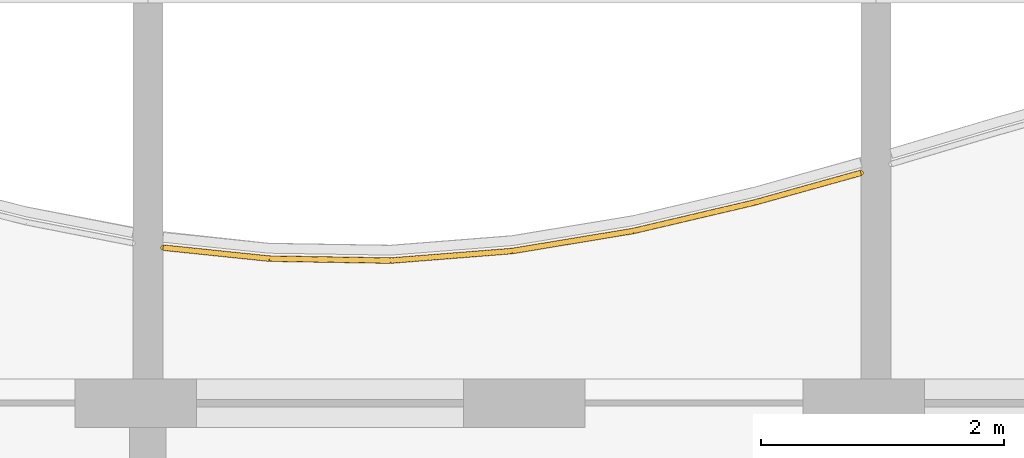
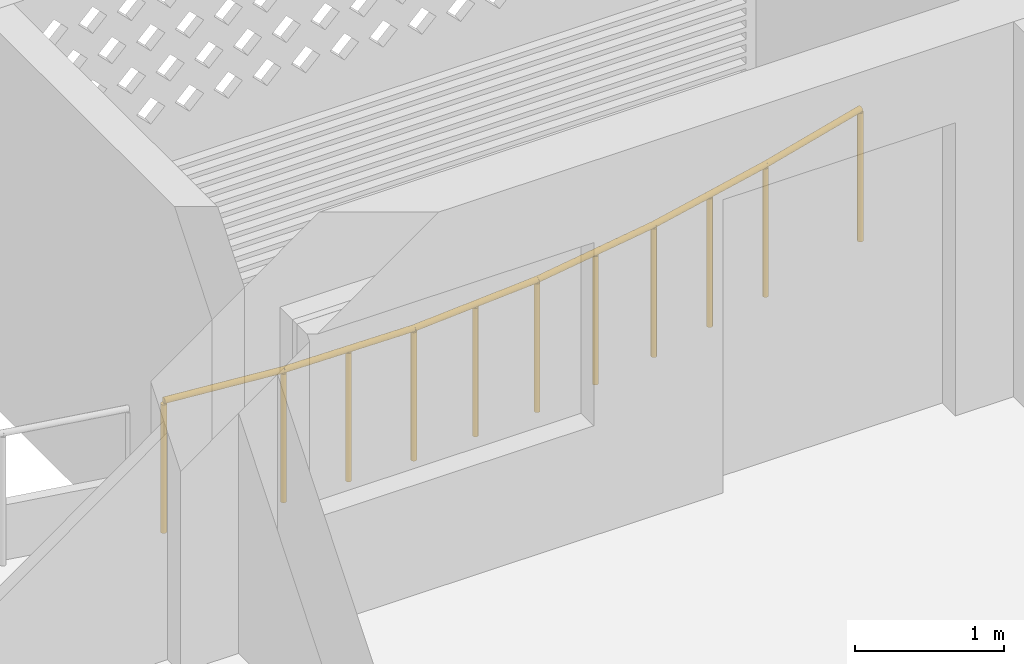
# One storey, part 30 of 33: 1 railing.
"""IFC4 building model written with IfcOpenShell, lengths in metres."""

import ifcopenshell
import ifcopenshell.guid

model = None  # the IFC model being written
_history = None  # IfcOwnerHistory: only IFC2X3 demands one
_inside = {}  # id of a spatial element -> (the spatial element, [elements in it])
_under = {}  # id of a project, library or spatial element -> (it, [spatial elements below it])
_declared = {}  # id of a project -> (the project, [libraries it declares])
_typed = {}  # id of a type object -> (the type object, [elements of that type])
_made_of = {}  # id of a material, layer set ... -> (it, [elements and type objects made of it])


def new_model(schema):
    """Start an empty IFC model of exactly this schema.

    Asked for "IFC4X3", IfcOpenShell would pick the latest addendum, in which some entities
    have other attributes; the version numbers below select the first issue.
    IFC2X3 requires an IfcOwnerHistory on every rooted entity: one is made here for all.
    """
    global model, _history
    if schema == "IFC4X3":
        model = ifcopenshell.file(schema_version=(4, 3, 0, 0))
    else:
        model = ifcopenshell.file(schema=schema)
    _inside.clear()
    _under.clear()
    _declared.clear()
    _typed.clear()
    _made_of.clear()
    _history = None
    if model.schema == "IFC2X3":
        org = make("IfcOrganization", Name="unknown")
        user = make(
            "IfcPersonAndOrganization",
            ThePerson=make("IfcPerson", FamilyName="unknown"),
            TheOrganization=org,
        )
        app = make(
            "IfcApplication",
            ApplicationDeveloper=org,
            Version="unknown",
            ApplicationFullName="unknown",
            ApplicationIdentifier="unknown",
        )
        _history = make(
            "IfcOwnerHistory",
            OwningUser=user,
            OwningApplication=app,
            ChangeAction="ADDED",
            CreationDate=0,
        )
    return model


def make(cls, **values):
    """One entity of the class cls with the attributes given. An attribute that is None is left unset."""
    return model.create_entity(
        cls, **{name: value for name, value in values.items() if value is not None}
    )


def rooted(cls, **values):
    """An entity with a GlobalId (a new one), such as an element, a storey or a relation."""
    return make(cls, GlobalId=ifcopenshell.guid.new(), OwnerHistory=_history, **values)


def si_unit(unit_type, name, prefix=None):
    """IfcSIUnit, for example si_unit("LENGTHUNIT", "METRE", prefix="MILLI")."""
    return make("IfcSIUnit", UnitType=unit_type, Prefix=prefix, Name=name)


def assignment(units):
    """IfcUnitAssignment: the units of a project."""
    return None if units is None else make("IfcUnitAssignment", Units=units)


def point(xyz):
    """IfcCartesianPoint."""
    return None if xyz is None else make("IfcCartesianPoint", Coordinates=xyz)


def direction(xyz):
    """IfcDirection."""
    return None if xyz is None else make("IfcDirection", DirectionRatios=xyz)


def frame(location, z_axis=None, x_axis=None):
    """IfcAxis2Placement3D, a coordinate frame: its origin and axes. An axis left out is left unset."""
    return make(
        "IfcAxis2Placement3D",
        Location=point(location),
        Axis=direction(z_axis),
        RefDirection=direction(x_axis),
    )


def frame_2d(location, x_axis=None):
    """IfcAxis2Placement2D, a coordinate frame in the plane: its origin and x axis."""
    return make(
        "IfcAxis2Placement2D", Location=point(location), RefDirection=direction(x_axis)
    )


def origin():
    """The frame at (0, 0, 0) with its axes left unset."""
    return frame((0.0, 0.0, 0.0))


def origin_2d():
    """The frame at (0, 0) in the plane with its x axis left unset."""
    return frame_2d((0.0, 0.0))


def place(relative_to, where):
    """IfcLocalPlacement: puts the frame where relative to a parent placement (None: the world)."""
    return make(
        "IfcLocalPlacement", PlacementRelTo=relative_to, RelativePlacement=where
    )


def context(
    kind, dimensions, precision=None, world=None, true_north=None, identifier=None
):
    """IfcGeometricRepresentationContext, for example the 3D "Model" context."""
    return make(
        "IfcGeometricRepresentationContext",
        ContextIdentifier=identifier,
        ContextType=kind,
        CoordinateSpaceDimension=dimensions,
        Precision=precision,
        WorldCoordinateSystem=world,
        TrueNorth=true_north,
    )


def subcontext(parent, identifier, kind, view, scale=None):
    """IfcGeometricRepresentationSubContext, for example "Body" below "Model"."""
    return make(
        "IfcGeometricRepresentationSubContext",
        ContextIdentifier=identifier,
        ContextType=kind,
        ParentContext=parent,
        TargetScale=scale,
        TargetView=view,
    )


def project(units=None, contexts=None):
    """IfcProject with its units and contexts."""
    return rooted(
        "IfcProject",
        Name="project",
        RepresentationContexts=contexts,
        UnitsInContext=assignment(units),
    )


def spatial(cls, under=None, at=None, **own):
    """A site, building, storey or space (cls), placed at a placement, below another one or the project."""
    s = rooted(cls, ObjectPlacement=at, **own)
    if under is not None:
        _under.setdefault(under.id(), (under, []))[1].append(s)
    return s


def profile(cls, at=None, kind="AREA", **sizes):
    """A parametric profile (cls). Its sizes go by their IFC names, for example OverallWidth=200.0."""
    return make(cls, ProfileType=kind, Position=at, **sizes)


def circle(**sizes):
    """IfcCircleProfileDef."""
    return profile("IfcCircleProfileDef", **sizes)


def extrude(swept, where, along, depth):
    """IfcExtrudedAreaSolid: the profile swept, set in the frame where, extruded along a direction by depth."""
    return make(
        "IfcExtrudedAreaSolid",
        SweptArea=swept,
        Position=where,
        ExtrudedDirection=direction(along),
        Depth=depth,
    )


def shape(context_of_items, identifier, shape_type, items):
    """IfcShapeRepresentation: the items that make up one representation, for example the "Body"."""
    return make(
        "IfcShapeRepresentation",
        ContextOfItems=context_of_items,
        RepresentationIdentifier=identifier,
        RepresentationType=shape_type,
        Items=items,
    )


def material(Name=None, Category=None):
    """IfcMaterial."""
    return make("IfcMaterial", Name=Name, Category=Category)


def made_of(thing, what):
    """Note that an element or type object is made of a material, layer set ...; save() writes the relation."""
    if what is not None:
        _made_of.setdefault(what.id(), (what, []))[1].append(thing)
    return thing


def type_object(cls, material=None, **own):
    """A type object (cls), such as IfcWallType, which elements share."""
    return made_of(rooted(cls, **own), material)


def element(
    cls,
    number,
    at=None,
    inside=None,
    cuts=None,
    type_object=None,
    material=None,
    context=None,
    identifier="Body",
    shape_type=None,
    held_by="IfcProductDefinitionShape",
    body=None,
    shapes=None,
    **own,
):
    """One element of the class cls, such as IfcWall. Its Tag is "e" and its number.

    at: its placement. inside: the storey or other place that contains it. cuts: it is an
    opening in that element (IfcRelVoidsElement). A single representation is given by context,
    identifier, shape_type and body (its items); several are given by shapes. held_by: the class
    of the entity that holds the representations. save() writes the other relations.
    """
    e = rooted(cls, Tag="e%d" % number, ObjectPlacement=at, **own)
    if body is not None:
        shapes = [shape(context, identifier, shape_type, body)]
    if shapes is not None:
        e.Representation = make(held_by, Representations=shapes)
    if inside is not None:
        _inside.setdefault(inside.id(), (inside, []))[1].append(e)
    if cuts is not None:
        rooted(
            "IfcRelVoidsElement", RelatingBuildingElement=cuts, RelatedOpeningElement=e
        )
    if type_object is not None:
        _typed.setdefault(type_object.id(), (type_object, []))[1].append(e)
    return made_of(e, material)


def aggregate(whole, parts):
    """IfcRelAggregates: a whole, such as a stair, and the parts it consists of."""
    return rooted("IfcRelAggregates", RelatingObject=whole, RelatedObjects=parts)


def save(model, path):
    """Write the relations noted so far, then the file.

    IfcRelAggregates (storeys below a building ...), IfcRelContainedInSpatialStructure (elements
    in a storey), IfcRelDefinesByType, IfcRelAssociatesMaterial and IfcRelDeclares: one each for
    every whole, place, type object, material and project.
    """
    for whole, parts in _under.values():
        aggregate(whole, parts)
    for where, things in _inside.values():
        rooted(
            "IfcRelContainedInSpatialStructure",
            RelatedElements=things,
            RelatingStructure=where,
        )
    for kind, things in _typed.values():
        rooted("IfcRelDefinesByType", RelatedObjects=things, RelatingType=kind)
    for what, things in _made_of.values():
        rooted("IfcRelAssociatesMaterial", RelatedObjects=things, RelatingMaterial=what)
    for by, libraries in _declared.values():
        rooted("IfcRelDeclares", RelatingContext=by, RelatedDefinitions=libraries)
    model.write(path)


model = new_model("IFC4")

# Units and contexts
model_context = context("Model", 3, precision=1e-05, world=origin(), true_north=direction((0.0, 1.0)))
body_context = subcontext(model_context, "Body", "Model", "MODEL_VIEW")
ifc_project = project(units=[si_unit("LENGTHUNIT", "METRE"), si_unit("AREAUNIT", "SQUARE_METRE"), si_unit("VOLUMEUNIT", "CUBIC_METRE"), si_unit("PLANEANGLEUNIT", "RADIAN"), si_unit("MASSUNIT", "GRAM", prefix="KILO")], contexts=[model_context])

# Site, building, storey
site_placement = place(None, origin())
site = spatial("IfcSite", under=ifc_project, at=site_placement, CompositionType="ELEMENT")
building_placement = place(site_placement, origin())
building = spatial("IfcBuilding", under=site, at=building_placement, Name="Poui Terraces", CompositionType="ELEMENT")
storey_placement = place(building_placement, frame((0.0, 0.0, 138.89990234375)))
storey = spatial("IfcBuildingStorey", under=building, at=storey_placement, Name="L38", CompositionType="ELEMENT", Elevation=138.89990234375)

# Railing
ifc_material = material(Name="Painted steel fretwork", Category="steel")
railing_type = type_object("IfcRailingType", Name="BALCONY GUARD 1100", PredefinedType="GUARDRAIL", material=ifc_material)
railing_placement = place(storey_placement, frame((72.125, 43.681884765625, 0.0)))
element("IfcRailing", 1, at=railing_placement, inside=storey, type_object=railing_type, Name="BALCONY GUARD", PredefinedType="GUARDRAIL", context=body_context, shape_type="SweptSolid", body=[
    extrude(circle(Radius=0.02392578125, at=origin_2d()), frame((0.0, 0.0, 1.076171875), z_axis=(0.994684934875, -0.102965432712, 0.0), x_axis=(0.102965432712, 0.994684934875, 0.0)), (0.0, 0.0, 1.0), 0.879638671875),
    extrude(circle(Radius=0.02392578125, at=origin_2d()), frame((0.875, -0.090576171875, 1.076171875), z_axis=(0.999870206358, -0.016111189849, 0.0), x_axis=(0.016111189849, 0.999870206358, 0.0)), (0.0, 0.0, 1.0), 1.000244140625),
    extrude(circle(Radius=0.02392578125, at=origin_2d()), frame((1.875, -0.106689453125, 1.076171875), z_axis=(0.996905179889, 0.07861337234, 0.0), x_axis=(-0.07861337234, 0.996905179889, 0.0)), (0.0, 0.0, 1.0), 1.003173828125),
    extrude(circle(Radius=0.02392578125, at=origin_2d()), frame((2.875, -0.02783203125, 1.076171875), z_axis=(0.986614372238, 0.163070783693, 0.0), x_axis=(-0.163070783693, 0.986614372238, 0.0)), (0.0, 0.0, 1.0), 1.013671875),
    extrude(circle(Radius=0.02392578125, at=origin_2d()), frame((3.875, 0.137451171875, 1.076171875), z_axis=(0.973510598085, 0.228641893398, 0.0), x_axis=(-0.228641893398, 0.973510598085, 0.0)), (0.0, 0.0, 1.0), 1.027099609375),
    extrude(circle(Radius=0.02392578125, at=origin_2d()), frame((4.875, 0.372314453125, 1.076171875), z_axis=(0.963348277861, 0.268253789427, 0.0), x_axis=(-0.268253789427, 0.963348277861, 0.0)), (0.0, 0.0, 1.0), 0.908203125),
    extrude(circle(Radius=0.02099609375, at=origin_2d()), origin(), (0.0, 0.0, 1.0), 1.052001953125),
    extrude(circle(Radius=0.02099609375, at=origin_2d()), frame((0.875, -0.090576171875, 0.0)), (0.0, 0.0, 1.0), 1.052001953125),
    extrude(circle(Radius=0.02099609375, at=origin_2d()), frame((1.375, -0.0986328125, 0.0)), (0.0, 0.0, 1.0), 1.052001953125),
    extrude(circle(Radius=0.02099609375, at=origin_2d()), frame((1.875, -0.106689453125, 0.0)), (0.0, 0.0, 1.0), 1.052001953125),
    extrude(circle(Radius=0.02099609375, at=origin_2d()), frame((2.375, -0.0673828125, 0.0)), (0.0, 0.0, 1.0), 1.052001953125),
    extrude(circle(Radius=0.02099609375, at=origin_2d()), frame((2.875, -0.02783203125, 0.0)), (0.0, 0.0, 1.0), 1.052001953125),
    extrude(circle(Radius=0.02099609375, at=origin_2d()), frame((3.375, 0.0546875, 0.0)), (0.0, 0.0, 1.0), 1.052001953125),
    extrude(circle(Radius=0.02099609375, at=origin_2d()), frame((3.875, 0.137451171875, 0.0)), (0.0, 0.0, 1.0), 1.052001953125),
    extrude(circle(Radius=0.02099609375, at=origin_2d()), frame((4.375, 0.2548828125, 0.0)), (0.0, 0.0, 1.0), 1.052001953125),
    extrude(circle(Radius=0.02099609375, at=origin_2d()), frame((4.875, 0.372314453125, 0.0)), (0.0, 0.0, 1.0), 1.052001953125),
    extrude(circle(Radius=0.02099609375, at=origin_2d()), frame((5.75, 0.615966796875, 0.0)), (0.0, 0.0, 1.0), 1.052001953125),
])

save(model, "model.ifc")
